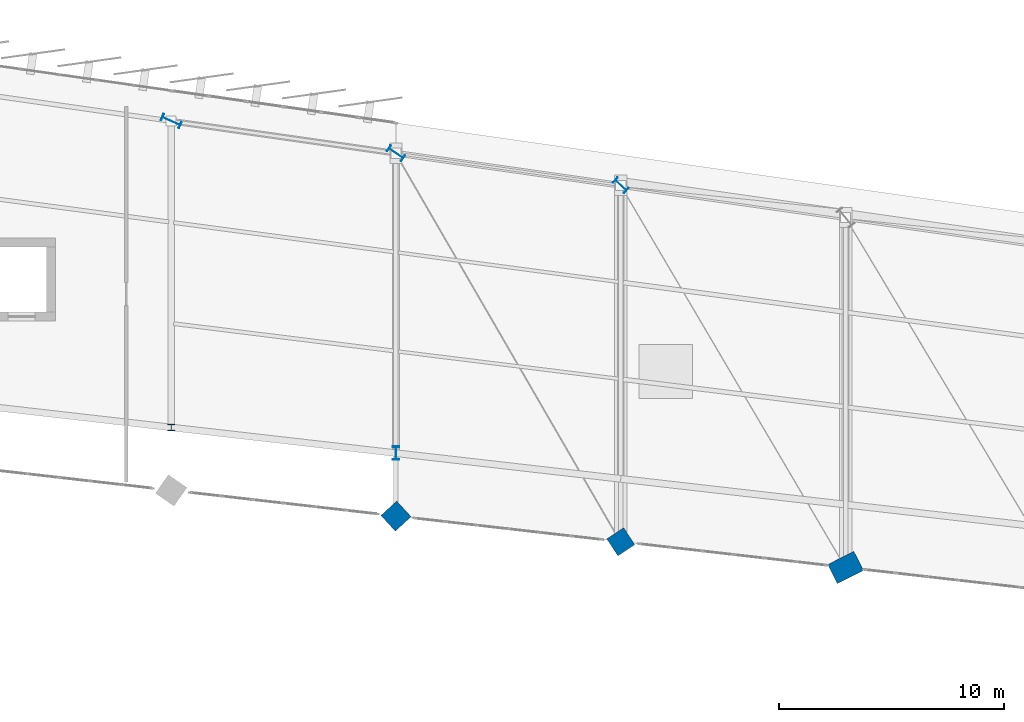
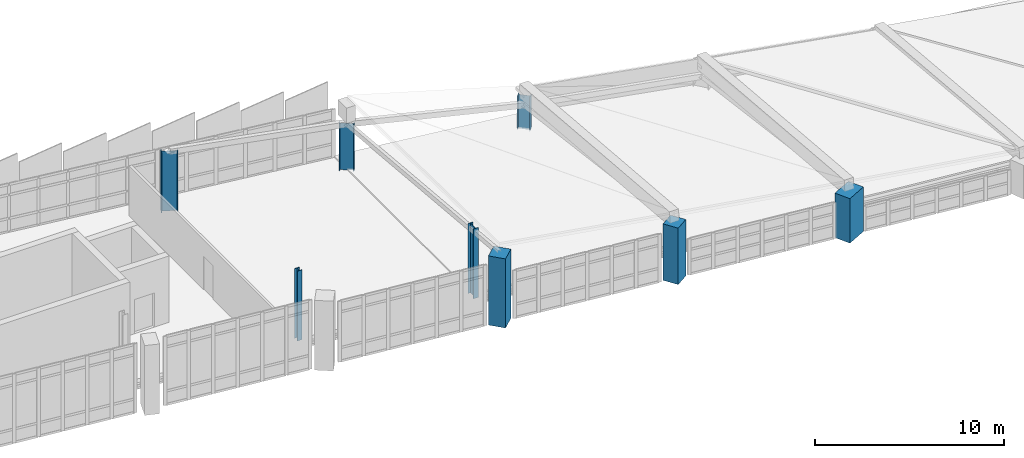
# One storey, part 9 of 67: 8 columns.
"""IFC4 building model written with IfcOpenShell, lengths in metres."""

from ifc_helpers import new_model, si_unit, direction, frame, origin, origin_2d, place, context, subcontext, project, spatial, rectangle, i_section, extrude, material, material_profile, profile_set, type_object, element, save


model = new_model("IFC4")

# Units and contexts
model_context = context("Model", 3, precision=1e-05, world=origin(), true_north=direction((0.0, 1.0)))
body_context = subcontext(model_context, "Body", "Model", "MODEL_VIEW")
ifc_project = project(units=[si_unit("LENGTHUNIT", "METRE"), si_unit("AREAUNIT", "SQUARE_METRE"), si_unit("VOLUMEUNIT", "CUBIC_METRE"), si_unit("PLANEANGLEUNIT", "RADIAN"), si_unit("MASSUNIT", "GRAM", prefix="KILO")], contexts=[model_context])

# Site, building, storey
site_placement = place(None, origin())
site = spatial("IfcSite", under=ifc_project, at=site_placement, CompositionType="ELEMENT")
building_placement = place(site_placement, origin())
building = spatial("IfcBuilding", under=site, at=building_placement, Name="Sohan Crest Arena", CompositionType="ELEMENT")
storey_placement = place(building_placement, frame((0.0, 0.0, 22.5)))
storey = spatial("IfcBuildingStorey", under=building, at=storey_placement, Name="L05", CompositionType="ELEMENT", Elevation=22.5)

# Columns
ifc_material_1 = material(Name="Concrete C40/50", Category="concrete")
ifc_material_profile_1 = material_profile(ifc_material_1, rectangle(XDim=0.89990234375, YDim=0.89990234375, at=origin_2d()), Name="RC 900x900")
ifc_profile_set_1 = profile_set([ifc_material_profile_1], Name="Concrete C40/50")
column_type_1 = type_object("IfcColumnType", Name="STR-COL-C07", PredefinedType="COLUMN", material=ifc_profile_set_1)
column_1_placement = place(storey_placement, frame((138.0, 104.428955078125, 0.0), z_axis=(0.0, 0.0, 1.0), x_axis=(0.833885822067, 0.551936985312, 0.0)))
element("IfcColumn", 1, at=column_1_placement, inside=storey, type_object=column_type_1, Name="Structural column COL-V1R-31-L05", PredefinedType="COLUMN", context=body_context, shape_type="SweptSolid", body=[
    extrude(rectangle(XDim=0.89990234375, YDim=0.89990234375, at=origin_2d()), origin(), (0.0, 0.0, 1.0), 3.639892578125),
])
ifc_material_profile_2 = material_profile(ifc_material_1, rectangle(XDim=0.949951171875, YDim=0.949951171875, at=origin_2d()), Name="RC 950x950")
ifc_profile_set_2 = profile_set([ifc_material_profile_2], Name="Concrete C40/50")
column_type_2 = type_object("IfcColumnType", Name="STR-COL-C08", PredefinedType="COLUMN", material=ifc_profile_set_2)
column_2_placement = place(storey_placement, frame((128.0, 105.571044921875, 0.0), z_axis=(0.0, 0.0, 1.0), x_axis=(0.73609708712, 0.676875969683, 0.0)))
element("IfcColumn", 2, at=column_2_placement, inside=storey, type_object=column_type_2, Name="Structural column COL-V1R-32-L05", PredefinedType="COLUMN", context=body_context, shape_type="SweptSolid", body=[
    extrude(rectangle(XDim=0.949951171875, YDim=0.949951171875, at=origin_2d()), origin(), (0.0, 0.0, 1.0), 4.45703125),
])
ifc_material_profile_3 = material_profile(ifc_material_1, rectangle(XDim=1.300048828125, YDim=0.949951171875, at=origin_2d()), Name="RC 1300x950")
ifc_profile_set_3 = profile_set([ifc_material_profile_3], Name="Concrete C40/50")
column_type_3 = type_object("IfcColumnType", Name="STR-COL-C12", PredefinedType="COLUMN", material=ifc_profile_set_3)
column_3_placement = place(storey_placement, frame((148.0, 103.285888671875, 0.0), z_axis=(0.0, 0.0, 1.0), x_axis=(0.892585818452, 0.450877540689, 0.0)))
element("IfcColumn", 3, at=column_3_placement, inside=storey, type_object=column_type_3, Name="Structural column COL-V1R-30-L05", PredefinedType="COLUMN", context=body_context, shape_type="SweptSolid", body=[
    extrude(rectangle(XDim=1.300048828125, YDim=0.949951171875, at=origin_2d()), origin(), (0.0, 0.0, 1.0), 2.873046875),
])
ifc_material_2 = material(Name="Steel S355", Category="steel")
ifc_material_profile_4 = material_profile(ifc_material_2, i_section(OverallWidth=0.300048828125, OverallDepth=0.300048828125, WebThickness=0.010986328125, FlangeThickness=0.01904296875, at=origin_2d()), Name="HEB 300")
ifc_profile_set_4 = profile_set([ifc_material_profile_4], Name="Steel S355")
column_type_4 = type_object("IfcColumnType", Name="STR-COL-C17", PredefinedType="COLUMN", material=ifc_profile_set_4)
column_4_placement = place(storey_placement, frame((118.0, 109.513916015625, 0.0), z_axis=(0.0, 0.0, 1.0), x_axis=(1.0, 0.0, 0.0)))
element("IfcColumn", 4, at=column_4_placement, inside=storey, type_object=column_type_4, Name="Structural column COL-V2I-33-L05", PredefinedType="COLUMN", context=body_context, shape_type="SweptSolid", body=[
    extrude(i_section(OverallWidth=0.300048828125, OverallDepth=0.300048828125, WebThickness=0.010986328125, FlangeThickness=0.01904296875, at=origin_2d()), origin(), (0.0, 0.0, 1.0), 4.5),
])
ifc_material_profile_5 = material_profile(ifc_material_2, i_section(OverallWidth=0.300048828125, OverallDepth=0.60009765625, WebThickness=0.015380859375, FlangeThickness=0.030029296875, at=origin_2d()), Name="HEB 600")
ifc_profile_set_5 = profile_set([ifc_material_profile_5], Name="Steel S355")
column_type_5 = type_object("IfcColumnType", Name="STR-COL-C20", PredefinedType="COLUMN", material=ifc_profile_set_5)
column_5_placement = place(storey_placement, frame((128.0, 108.37109375, 0.0), z_axis=(0.0, 0.0, 1.0), x_axis=(1.0, 0.0, 0.0)))
element("IfcColumn", 5, at=column_5_placement, inside=storey, type_object=column_type_5, Name="Structural column COL-V2I-32-L05", PredefinedType="COLUMN", context=body_context, shape_type="SweptSolid", body=[
    extrude(i_section(OverallWidth=0.300048828125, OverallDepth=0.60009765625, WebThickness=0.015380859375, FlangeThickness=0.030029296875, at=origin_2d()), origin(), (0.0, 0.0, 1.0), 4.5),
])
ifc_material_profile_6 = material_profile(ifc_material_2, i_section(OverallWidth=0.300048828125, OverallDepth=0.699951171875, WebThickness=0.01708984375, FlangeThickness=0.031982421875, at=origin_2d()), Name="HEB 700")
ifc_profile_set_6 = profile_set([ifc_material_profile_6], Name="Steel S355")
column_type_6 = type_object("IfcColumnType", Name="STR-COL-C21", PredefinedType="COLUMN", material=ifc_profile_set_6)
column_6_placement = place(storey_placement, frame((138.0, 120.285888671875, 0.0), z_axis=(0.0, 0.0, 1.0), x_axis=(0.687087510804, 0.726574670971, 0.0)))
element("IfcColumn", 6, at=column_6_placement, inside=storey, type_object=column_type_6, Name="Structural column COL-V2O-31-L05", PredefinedType="COLUMN", context=body_context, shape_type="SweptSolid", body=[
    extrude(i_section(OverallWidth=0.300048828125, OverallDepth=0.699951171875, WebThickness=0.01708984375, FlangeThickness=0.031982421875, at=origin_2d()), origin(), (0.0, 0.0, 1.0), 2.18994140625),
])
ifc_material_profile_7 = material_profile(ifc_material_2, i_section(OverallWidth=0.300048828125, OverallDepth=0.800048828125, WebThickness=0.017578125, FlangeThickness=0.032958984375, at=origin_2d()), Name="HEB 800")
ifc_profile_set_7 = profile_set([ifc_material_profile_7], Name="Steel S355")
column_type_7 = type_object("IfcColumnType", Name="STR-COL-C22", PredefinedType="COLUMN", material=ifc_profile_set_7)
column_7_placement = place(storey_placement, frame((128.0, 121.714111328125, 0.0), z_axis=(0.0, 0.0, 1.0), x_axis=(0.566406236925, 0.824126188622, 0.0)))
element("IfcColumn", 7, at=column_7_placement, inside=storey, type_object=column_type_7, Name="Structural column COL-V2O-32-L05", PredefinedType="COLUMN", context=body_context, shape_type="SweptSolid", body=[
    extrude(i_section(OverallWidth=0.300048828125, OverallDepth=0.800048828125, WebThickness=0.017578125, FlangeThickness=0.032958984375, at=origin_2d()), origin(), (0.0, 0.0, 1.0), 3.007080078125),
])
ifc_material_profile_8 = material_profile(ifc_material_2, i_section(OverallWidth=0.300048828125, OverallDepth=0.89990234375, WebThickness=0.0185546875, FlangeThickness=0.034912109375, at=origin_2d()), Name="HEB 900")
ifc_profile_set_8 = profile_set([ifc_material_profile_8], Name="Steel S355")
column_type_8 = type_object("IfcColumnType", Name="STR-COL-C23", PredefinedType="COLUMN", material=ifc_profile_set_8)
column_8_placement = place(storey_placement, frame((118.0, 123.14306640625, 0.0), z_axis=(0.0, 0.0, 1.0), x_axis=(0.40514158678, 0.914253955234, 0.0)))
element("IfcColumn", 8, at=column_8_placement, inside=storey, type_object=column_type_8, Name="Structural column COL-V2O-33-L05", PredefinedType="COLUMN", context=body_context, shape_type="SweptSolid", body=[
    extrude(i_section(OverallWidth=0.300048828125, OverallDepth=0.89990234375, WebThickness=0.0185546875, FlangeThickness=0.034912109375, at=origin_2d()), origin(), (0.0, 0.0, 1.0), 3.866943359375),
])

save(model, "model.ifc")
